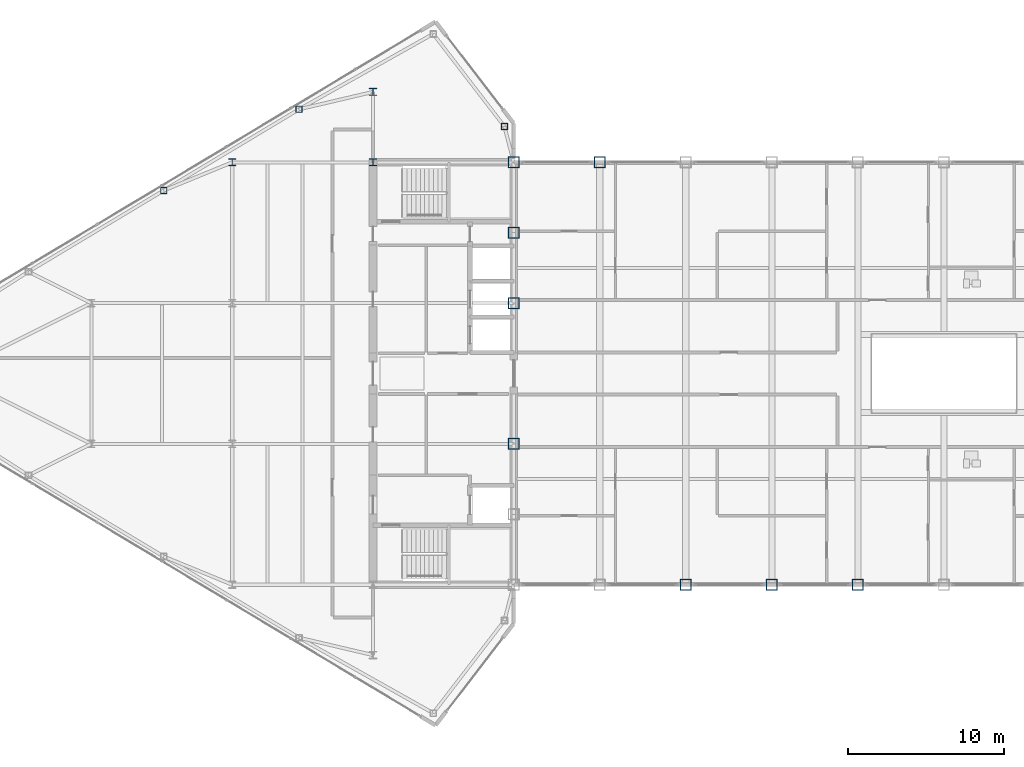
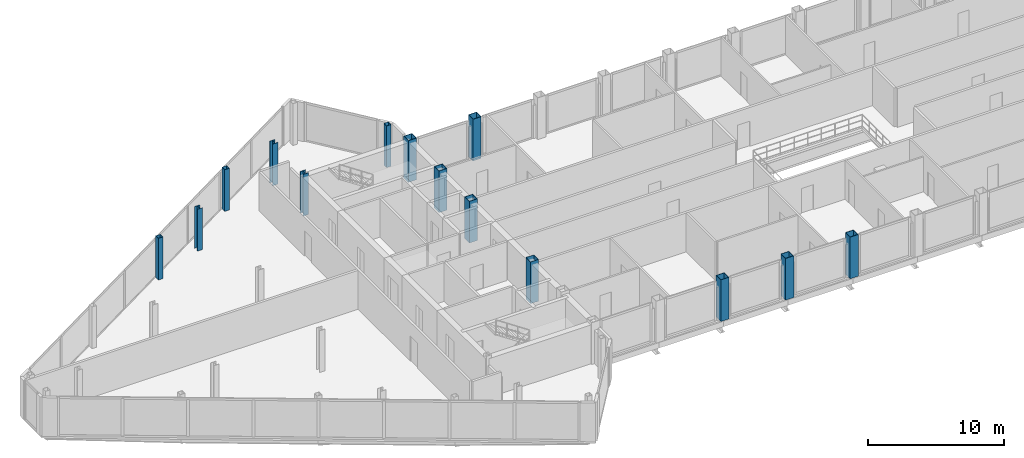
# One storey, part 2 of 28: 14 columns.
"""IFC4 building model written with IfcOpenShell, lengths in metres."""

from ifc_helpers import new_model, si_unit, direction, frame, origin, origin_2d, place, context, subcontext, project, spatial, hollow_rectangle, i_section, extrude, source, transform, mapped, material, material_profile, profile_set, type_object, type_shapes, element, save


model = new_model("IFC4")

# Units and contexts
model_context = context("Model", 3, precision=1e-05, world=origin(), true_north=direction((0.0, 1.0)))
body_context = subcontext(model_context, "Body", "Model", "MODEL_VIEW")
ifc_project = project(units=[si_unit("LENGTHUNIT", "METRE"), si_unit("AREAUNIT", "SQUARE_METRE"), si_unit("VOLUMEUNIT", "CUBIC_METRE"), si_unit("PLANEANGLEUNIT", "RADIAN"), si_unit("MASSUNIT", "GRAM", prefix="KILO")], contexts=[model_context])

# Site, building, storey
site_placement = place(None, origin())
site = spatial("IfcSite", under=ifc_project, at=site_placement, CompositionType="ELEMENT")
building_placement = place(site_placement, origin())
building = spatial("IfcBuilding", under=site, at=building_placement, Name="Seokmaru Belvedere", CompositionType="ELEMENT")
storey_placement = place(building_placement, frame((0.0, 0.0, 265.64990234375)))
storey = spatial("IfcBuildingStorey", under=building, at=storey_placement, Name="L70", CompositionType="ELEMENT", Elevation=265.64990234375)

# Columns
ifc_material = material(Name="Steel SM355 (355 MPa)", Category="steel")
ifc_material_profile_1 = material_profile(ifc_material, hollow_rectangle(XDim=0.699951171875, YDim=0.699951171875, WallThickness=0.030029296875, at=origin_2d()), Name="BOX-700x700x30")
ifc_profile_set_1 = profile_set([ifc_material_profile_1], Name="Steel SM355 (355 MPa)")
column_type_1 = type_object("IfcColumnType", Name="Upper Spine Column BOX-700", PredefinedType="COLUMN", material=ifc_profile_set_1)
shared_shape_1 = source(origin(), body_context, "Body", "SweptSolid", [
    extrude(hollow_rectangle(XDim=0.699951171875, YDim=0.699951171875, WallThickness=0.030029296875, at=origin_2d()), origin(), (0.0, 0.0, 1.0), 3.75),
])
type_shapes(column_type_1, [shared_shape_1])
for number, where, z_axis, x_axis, name in (
    (1, (-27.5, -4.5, 0.0), (0.0, 0.0, 1.0), (1.0, 0.0, 0.0), "L70 Column WS3"),
    (2, (-27.5, 4.5, 0.0), (0.0, 0.0, 1.0), (1.0, 0.0, 0.0), "L70 Column WS4"),
    (3, (-27.5, 9.0, 0.0), (0.0, 0.0, 1.0), (1.0, 0.0, 0.0), "L70 Column WS5"),
    (4, (-27.5, 13.5, 0.0), (0.0, 0.0, 1.0), (1.0, 0.0, 0.0), "L70 Column WS6"),
    (5, (-22.0, 13.5, 0.0), (0.0, 0.0, 1.0), (1.0, 0.0, 0.0), "L70 Column BRN_1"),
    (6, (-16.5, -13.5, 0.0), (0.0, 0.0, 1.0), (1.0, 0.0, 0.0), "L70 Column BRS_2"),
    (7, (-11.0, -13.5, 0.0), (0.0, 0.0, 1.0), (1.0, 0.0, 0.0), "L70 Column BRS_3"),
    (8, (-5.5, -13.5, 0.0), (0.0, 0.0, 1.0), (1.0, 0.0, 0.0), "L70 Column BRS_4"),
):
    element("IfcColumn", number, at=place(storey_placement, frame(where, z_axis=z_axis, x_axis=x_axis)), inside=storey, type_object=column_type_1, Name=name, PredefinedType="COLUMN", context=body_context, shape_type="MappedRepresentation", body=[
        mapped(shared_shape_1, transform((0.0, 0.0, 0.0), scale=1.0)),
    ])
ifc_material_profile_2 = material_profile(ifc_material, i_section(OverallWidth=0.449951171875, OverallDepth=0.449951171875, WebThickness=0.01611328125, FlangeThickness=0.02490234375, at=origin_2d()), Name="H-450x450x16x25")
ifc_profile_set_2 = profile_set([ifc_material_profile_2], Name="Steel SM355 (355 MPa)")
column_type_2 = type_object("IfcColumnType", Name="Sky-Gate Column H-450", PredefinedType="COLUMN", material=ifc_profile_set_2)
shared_shape_2 = source(origin(), body_context, "Body", "SweptSolid", [
    extrude(i_section(OverallWidth=0.449951171875, OverallDepth=0.449951171875, WebThickness=0.01611328125, FlangeThickness=0.02490234375, at=origin_2d()), origin(), (0.0, 0.0, 1.0), 3.75),
])
type_shapes(column_type_2, [shared_shape_2])
for number, where, z_axis, x_axis, name in (
    (9, (-36.5, 13.5, 0.0), (0.0, 0.0, 1.0), (1.0, 0.0, 0.0), "L70 Column WC3"),
    (10, (-36.5, 18.0, 0.0), (0.0, 0.0, 1.0), (1.0, 0.0, 0.0), "L70 Column WC4"),
    (11, (-45.5, 13.5, 0.0), (0.0, 0.0, 1.0), (1.0, 0.0, 0.0), "L70 Column WG5_4"),
):
    element("IfcColumn", number, at=place(storey_placement, frame(where, z_axis=z_axis, x_axis=x_axis)), inside=storey, type_object=column_type_2, Name=name, PredefinedType="COLUMN", context=body_context, shape_type="MappedRepresentation", body=[
        mapped(shared_shape_2, transform((0.0, 0.0, 0.0), scale=1.0)),
    ])
ifc_material_profile_3 = material_profile(ifc_material, hollow_rectangle(XDim=0.39990234375, YDim=0.39990234375, WallThickness=0.01611328125, at=origin_2d()), Name="HSS-400x400x16")
ifc_profile_set_3 = profile_set([ifc_material_profile_3], Name="Steel SM355 (355 MPa)")
column_type_3 = type_object("IfcColumnType", Name="Perimeter Facet Column HSS-400", PredefinedType="COLUMN", material=ifc_profile_set_3)
shared_shape_3 = source(origin(), body_context, "Body", "SweptSolid", [
    extrude(hollow_rectangle(XDim=0.39990234375, YDim=0.39990234375, WallThickness=0.01611328125, at=origin_2d()), origin(), (0.0, 0.0, 1.0), 3.75),
])
type_shapes(column_type_3, [shared_shape_3])
for number, where, z_axis, x_axis, name in (
    (12, (-28.10009765625, 15.7958984375, 0.0), (0.0, 0.0, 1.0), (1.0, 0.0, 0.0), "L70 Column WF2"),
    (13, (-41.229736328125, 16.888916015625, 0.0), (0.0, 0.0, 1.0), (1.0, 0.0, 0.0), "L70 Column WFLK_N1"),
    (14, (-49.8798828125, 11.698974609375, 0.0), (0.0, 0.0, 1.0), (1.0, 0.0, 0.0), "L70 Column WFLK_N2"),
):
    element("IfcColumn", number, at=place(storey_placement, frame(where, z_axis=z_axis, x_axis=x_axis)), inside=storey, type_object=column_type_3, Name=name, PredefinedType="COLUMN", context=body_context, shape_type="MappedRepresentation", body=[
        mapped(shared_shape_3, transform((0.0, 0.0, 0.0), scale=1.0)),
    ])

save(model, "model.ifc")
